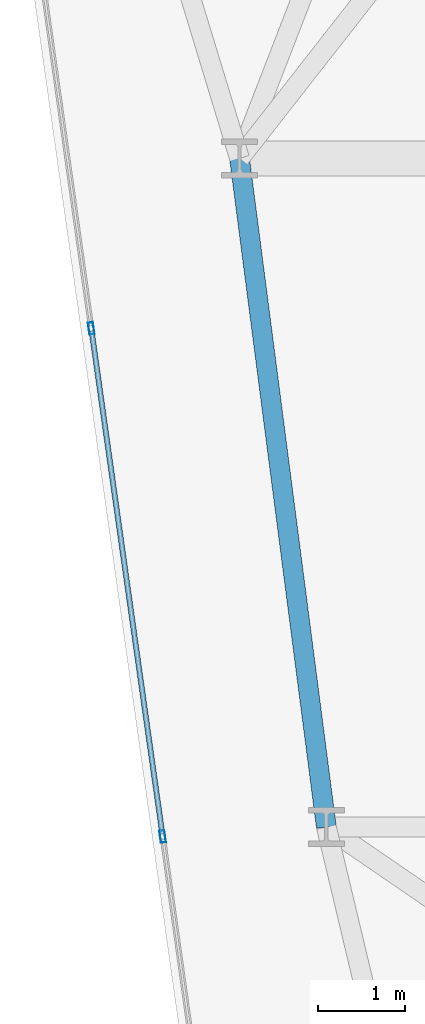
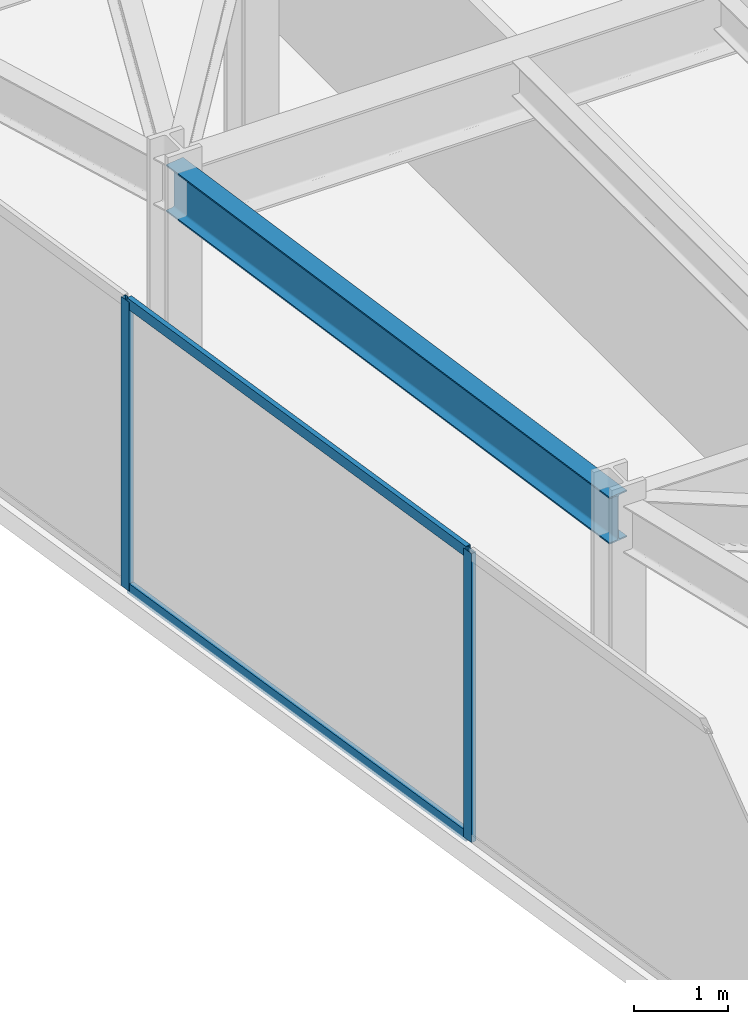
# One storey, part 5 of 26: 4 members, 1 beam, 1 element without a shape of its own.
"""IFC4 building model written with IfcOpenShell, lengths in metres."""

from ifc_helpers import new_model, si_unit, direction, frame, origin, origin_2d, place, context, subcontext, project, spatial, hollow_rectangle, i_section, extrude, material, layer, layer_set, material_profile, profile_set, type_object, element, aggregate, save


model = new_model("IFC4")

# Units and contexts
model_context = context("Model", 3, precision=1e-05, world=origin(), true_north=direction((0.0, 1.0)))
body_context = subcontext(model_context, "Body", "Model", "MODEL_VIEW")
ifc_project = project(units=[si_unit("LENGTHUNIT", "METRE"), si_unit("AREAUNIT", "SQUARE_METRE"), si_unit("VOLUMEUNIT", "CUBIC_METRE"), si_unit("PLANEANGLEUNIT", "RADIAN"), si_unit("MASSUNIT", "GRAM", prefix="KILO")], contexts=[model_context])

# Site, building, storey
site_placement = place(None, origin())
site = spatial("IfcSite", under=ifc_project, at=site_placement, CompositionType="ELEMENT")
building_placement = place(site_placement, origin())
building = spatial("IfcBuilding", under=site, at=building_placement, Name="Kravanh Interchange Tower", CompositionType="ELEMENT")
storey_placement = place(building_placement, frame((0.0, 0.0, 128.0)))
storey = spatial("IfcBuildingStorey", under=building, at=storey_placement, Name="L30", CompositionType="ELEMENT", Elevation=128.0)

# Curtain wall, members
ifc_material_1 = material(Name="Anodised Bronze Aluminium", Category="aluminium")
ifc_layer = layer(ifc_material_1, 0.179931640625)
ifc_layer_set = layer_set([ifc_layer], Name="Unitised Curtain Wall System CW-Z2 Mid Office")
curtain_wall_type = type_object("IfcCurtainWallType", Name="Unitised Curtain Wall System CW-Z2 Mid Office", PredefinedType="NOTDEFINED", material=ifc_layer_set)
curtain_wall_placement = place(storey_placement, origin())
curtain_wall = element("IfcCurtainWall", 1, at=curtain_wall_placement, inside=storey, type_object=curtain_wall_type, Name="L30 Unitised Curtain Wall CW-L30-01", PredefinedType="NOTDEFINED")
ifc_material_2 = material(Name="Anodised Bronze Aluminium", Category="aluminium")
ifc_material_profile_1 = material_profile(ifc_material_2, hollow_rectangle(XDim=0.06005859375, YDim=0.139892578125, WallThickness=0.00390625, at=origin_2d()), Name="ALU60X140X4")
ifc_profile_set_1 = profile_set([ifc_material_profile_1], Name="Anodised Bronze Aluminium")
member_type_1 = type_object("IfcMemberType", Name="Curtain Wall Mullion ALU60X140X4 Bronze", PredefinedType="MULLION", material=ifc_profile_set_1)
member_1_placement = place(storey_placement, frame((14.114990234375, 14.390869140625, 0.0), z_axis=(0.0, 0.0, 1.0), x_axis=(-0.990268103846, -0.13917285118, 0.0)))
member_1 = element("IfcMember", 2, at=member_1_placement, type_object=member_type_1, Name="CW-Z2 mullion 2", PredefinedType="MULLION", context=body_context, shape_type="SweptSolid", body=[
    extrude(hollow_rectangle(XDim=0.06005859375, YDim=0.139892578125, WallThickness=0.00390625, at=origin_2d()), origin(), (0.0, 0.0, 1.0), 3.75),
])
member_2_placement = place(storey_placement, frame((13.29248046875, 20.2431640625, 0.0), z_axis=(0.0, 0.0, 1.0), x_axis=(-0.990268103846, -0.13917285118, 0.0)))
member_2 = element("IfcMember", 3, at=member_2_placement, type_object=member_type_1, Name="CW-Z2 mullion 3", PredefinedType="MULLION", context=body_context, shape_type="SweptSolid", body=[
    extrude(hollow_rectangle(XDim=0.06005859375, YDim=0.139892578125, WallThickness=0.00390625, at=origin_2d()), origin(), (0.0, 0.0, 1.0), 3.75),
])
ifc_material_3 = material(Name="Anodised Bronze Aluminium", Category="aluminium")
ifc_material_profile_2 = material_profile(ifc_material_3, hollow_rectangle(XDim=0.06005859375, YDim=0.139892578125, WallThickness=0.00390625, at=origin_2d()), Name="ALU60X140X4")
ifc_profile_set_2 = profile_set([ifc_material_profile_2], Name="Anodised Bronze Aluminium")
member_type_2 = type_object("IfcMemberType", Name="Curtain Wall Transom ALU60X140X4 Bronze", PredefinedType="USERDEFINED", material=ifc_profile_set_2)
member_3_placement = place(storey_placement, frame((14.11083984375, 14.420654296875, 0.030029296875), z_axis=(-0.139183212647, 0.990266647584, 0.0), x_axis=(-0.990266647584, -0.139183212647, 0.0)))
member_3 = element("IfcMember", 4, at=member_3_placement, type_object=member_type_2, Name="CW-Z2 transom 2.1", ObjectType="TRANSOM", PredefinedType="USERDEFINED", context=body_context, shape_type="SweptSolid", body=[
    extrude(hollow_rectangle(XDim=0.06005859375, YDim=0.139892578125, WallThickness=0.00390625, at=origin_2d()), origin(), (0.0, 0.0, 1.0), 5.849853515625),
])
member_4_placement = place(storey_placement, frame((14.11083984375, 14.420654296875, 3.719970703125), z_axis=(-0.139183212647, 0.990266647584, 0.0), x_axis=(-0.990266647584, -0.139183212647, 0.0)))
member_4 = element("IfcMember", 5, at=member_4_placement, type_object=member_type_2, Name="CW-Z2 transom 2.2", ObjectType="TRANSOM", PredefinedType="USERDEFINED", context=body_context, shape_type="SweptSolid", body=[
    extrude(hollow_rectangle(XDim=0.06005859375, YDim=0.139892578125, WallThickness=0.00390625, at=origin_2d()), origin(), (0.0, 0.0, 1.0), 5.849853515625),
])
aggregate(curtain_wall, [member_1, member_2, member_3, member_4])

# Beam
ifc_material_4 = material(Name="Structural Steel S355", Category="steel")
ifc_material_profile_3 = material_profile(ifc_material_4, i_section(OverallWidth=0.22802734375, OverallDepth=0.60791015625, WebThickness=0.01123046875, FlangeThickness=0.017333984375, FilletRadius=0.02197265625, at=origin_2d()), Name="W24X76")
ifc_profile_set_3 = profile_set([ifc_material_profile_3], Name="Structural Steel S355")
beam_type = type_object("IfcBeamType", Name="Floor Spandrel W24X76 Structural Steel S355", PredefinedType="SPANDREL", material=ifc_profile_set_3)
beam_placement = place(storey_placement, frame((16.0, 14.5, 3.446044921875), z_axis=(-0.128789384125, 0.99167196922, 0.0), x_axis=(-0.99167196922, -0.128789384125, 0.0)))
element("IfcBeam", 6, at=beam_placement, inside=storey, type_object=beam_type, Name="L30 Perimeter Spandrel 100", PredefinedType="SPANDREL", context=body_context, shape_type="SweptSolid", body=[
    extrude(i_section(OverallWidth=0.22802734375, OverallDepth=0.60791015625, WebThickness=0.01123046875, FlangeThickness=0.017333984375, FilletRadius=0.02197265625, at=origin_2d()), origin(), (0.0, 0.0, 1.0), 7.7646484375),
])

save(model, "model.ifc")
